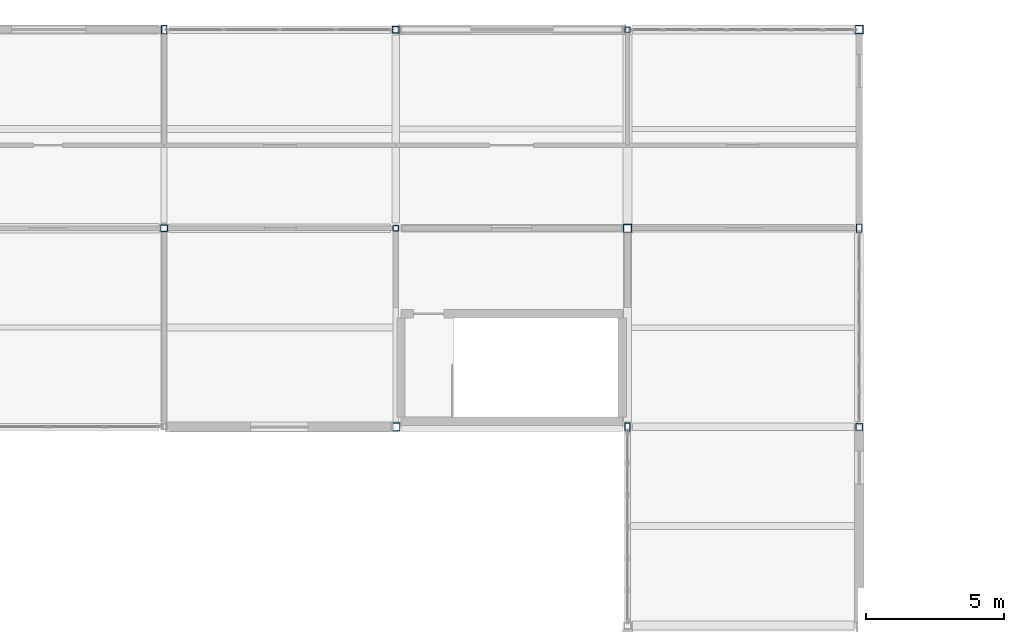
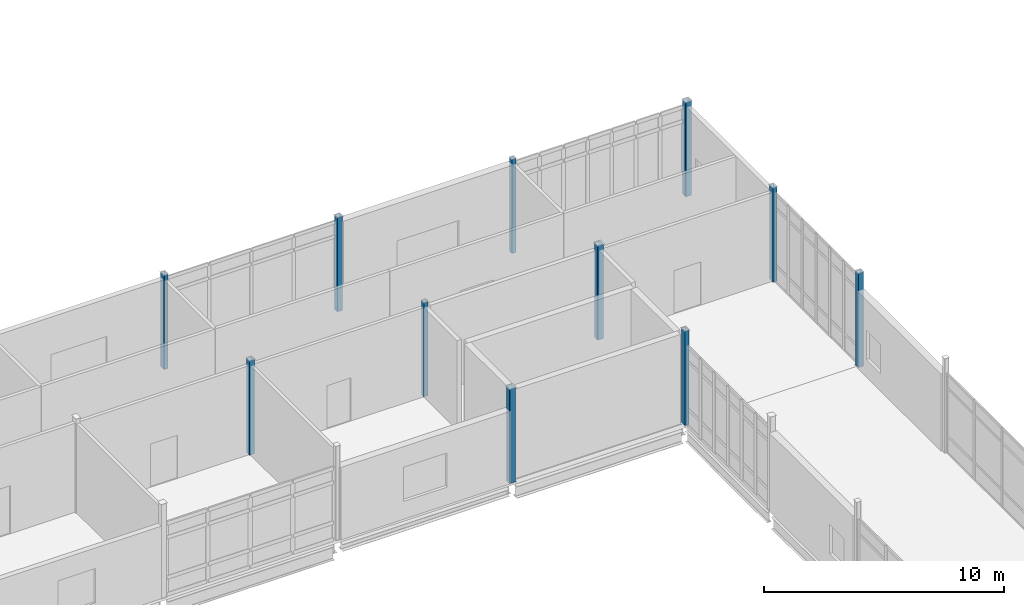
# One storey, part 11 of 153: 11 columns.
"""IFC4 building model written with IfcOpenShell, lengths in metres."""

from ifc_helpers import new_model, si_unit, direction, frame, origin, origin_2d, place, context, subcontext, project, spatial, hollow_rectangle, extrude, material, material_profile, profile_set, type_object, element, save


model = new_model("IFC4")

# Units and contexts
model_context = context("Model", 3, precision=1e-05, world=origin(), true_north=direction((0.0, 1.0)))
body_context = subcontext(model_context, "Body", "Model", "MODEL_VIEW")
ifc_project = project(units=[si_unit("LENGTHUNIT", "METRE"), si_unit("AREAUNIT", "SQUARE_METRE"), si_unit("VOLUMEUNIT", "CUBIC_METRE"), si_unit("PLANEANGLEUNIT", "RADIAN"), si_unit("MASSUNIT", "GRAM", prefix="KILO")], contexts=[model_context])

# Site, building, storey
site_placement = place(None, origin())
site = spatial("IfcSite", under=ifc_project, at=site_placement, CompositionType="ELEMENT")
building_placement = place(site_placement, origin())
building = spatial("IfcBuilding", under=site, at=building_placement, Name="Calvrana Isthmian Art Gallery", CompositionType="ELEMENT")
storey_placement = place(building_placement, frame((0.0, 0.0, 10.199951171875)))
storey = spatial("IfcBuildingStorey", under=building, at=storey_placement, Name="L02", CompositionType="ELEMENT", Elevation=10.199951171875)

# Columns
ifc_material = material(Name="Steel ASTM A500 Gr C", Category="steel")
ifc_material_profile_1 = material_profile(ifc_material, hollow_rectangle(XDim=0.203125, YDim=0.203125, WallThickness=0.0126953125, OuterFilletRadius=0.02490234375, at=origin_2d()), Name="HSS203X203X12.7")
ifc_profile_set_1 = profile_set([ifc_material_profile_1], Name="Steel ASTM A500 Gr C")
column_type_1 = type_object("IfcColumnType", Name="COL-STL-HSS203X203X12.7", PredefinedType="COLUMN", material=ifc_profile_set_1)
for number, where, z_axis, x_axis, name in (
    (1, (46.800048828125, 105.60009765625, 0.0), (0.0, 0.0, 1.0), (1.0, 0.0, 0.0), "Column 07/O L02"),
    (2, (55.199951171875, 112.800048828125, 0.0), (0.0, 0.0, 1.0), (1.0, 0.0, 0.0), "Column 08/P L02"),
):
    element("IfcColumn", number, at=place(storey_placement, frame(where, z_axis=z_axis, x_axis=x_axis)), inside=storey, type_object=column_type_1, Name=name, PredefinedType="COLUMN", context=body_context, shape_type="SweptSolid", body=[
        extrude(hollow_rectangle(XDim=0.203125, YDim=0.203125, WallThickness=0.0126953125, OuterFilletRadius=0.02490234375, at=origin_2d()), origin(), (0.0, 0.0, 1.0), 4.800048828125),
    ])
ifc_material_profile_2 = material_profile(ifc_material, hollow_rectangle(XDim=0.25390625, YDim=0.25390625, WallThickness=0.0126953125, OuterFilletRadius=0.02490234375, at=origin_2d()), Name="HSS254X254X12.7")
ifc_profile_set_2 = profile_set([ifc_material_profile_2], Name="Steel ASTM A500 Gr C")
column_type_2 = type_object("IfcColumnType", Name="COL-STL-HSS254X254X12.7", PredefinedType="COLUMN", material=ifc_profile_set_2)
for number, where, z_axis, x_axis, name in (
    (3, (38.39990234375, 105.60009765625, 0.0), (0.0, 0.0, 1.0), (1.0, 0.0, 0.0), "Column 06/O L02"),
    (4, (46.800048828125, 112.800048828125, 0.0), (0.0, 0.0, 1.0), (1.0, 0.0, 0.0), "Column 07/P L02"),
    (5, (63.60009765625, 98.39990234375, 0.0), (0.0, 0.0, 1.0), (1.0, 0.0, 0.0), "Column 09/N L02"),
):
    element("IfcColumn", number, at=place(storey_placement, frame(where, z_axis=z_axis, x_axis=x_axis)), inside=storey, type_object=column_type_2, Name=name, PredefinedType="COLUMN", context=body_context, shape_type="SweptSolid", body=[
        extrude(hollow_rectangle(XDim=0.25390625, YDim=0.25390625, WallThickness=0.0126953125, OuterFilletRadius=0.02490234375, at=origin_2d()), origin(), (0.0, 0.0, 1.0), 4.800048828125),
    ])
ifc_material_profile_3 = material_profile(ifc_material, hollow_rectangle(XDim=0.203125, YDim=0.3046875, WallThickness=0.0126953125, OuterFilletRadius=0.02490234375, at=origin_2d()), Name="HSS305X203X12.7")
ifc_profile_set_3 = profile_set([ifc_material_profile_3], Name="Steel ASTM A500 Gr C")
column_type_3 = type_object("IfcColumnType", Name="COL-STL-HSS305X203X12.7", PredefinedType="COLUMN", material=ifc_profile_set_3)
for number, where, z_axis, x_axis, name in (
    (6, (38.39990234375, 112.800048828125, 0.0), (0.0, 0.0, 1.0), (1.0, 0.0, 0.0), "Column 06/P L02"),
    (7, (55.199951171875, 98.39990234375, 0.0), (0.0, 0.0, 1.0), (1.0, 0.0, 0.0), "Column 08/N L02"),
    (8, (63.60009765625, 105.60009765625, 0.0), (0.0, 0.0, 1.0), (1.0, 0.0, 0.0), "Column 09/O L02"),
):
    element("IfcColumn", number, at=place(storey_placement, frame(where, z_axis=z_axis, x_axis=x_axis)), inside=storey, type_object=column_type_3, Name=name, PredefinedType="COLUMN", context=body_context, shape_type="SweptSolid", body=[
        extrude(hollow_rectangle(XDim=0.203125, YDim=0.3046875, WallThickness=0.0126953125, OuterFilletRadius=0.02490234375, at=origin_2d()), origin(), (0.0, 0.0, 1.0), 4.800048828125),
    ])
ifc_material_profile_4 = material_profile(ifc_material, hollow_rectangle(XDim=0.3046875, YDim=0.3046875, WallThickness=0.015869140625, OuterFilletRadius=0.031982421875, at=origin_2d()), Name="HSS305X305X15.9")
ifc_profile_set_4 = profile_set([ifc_material_profile_4], Name="Steel ASTM A500 Gr C")
column_type_4 = type_object("IfcColumnType", Name="COL-STL-HSS305X305X15.9", PredefinedType="COLUMN", material=ifc_profile_set_4)
for number, where, z_axis, x_axis, name in (
    (9, (46.800048828125, 98.39990234375, 0.0), (0.0, 0.0, 1.0), (1.0, 0.0, 0.0), "Column 07/N L02"),
    (10, (55.199951171875, 105.60009765625, 0.0), (0.0, 0.0, 1.0), (1.0, 0.0, 0.0), "Column 08/O L02"),
    (11, (63.60009765625, 112.800048828125, 0.0), (0.0, 0.0, 1.0), (1.0, 0.0, 0.0), "Column 09/P L02"),
):
    element("IfcColumn", number, at=place(storey_placement, frame(where, z_axis=z_axis, x_axis=x_axis)), inside=storey, type_object=column_type_4, Name=name, PredefinedType="COLUMN", context=body_context, shape_type="SweptSolid", body=[
        extrude(hollow_rectangle(XDim=0.3046875, YDim=0.3046875, WallThickness=0.015869140625, OuterFilletRadius=0.031982421875, at=origin_2d()), origin(), (0.0, 0.0, 1.0), 4.800048828125),
    ])

save(model, "model.ifc")
